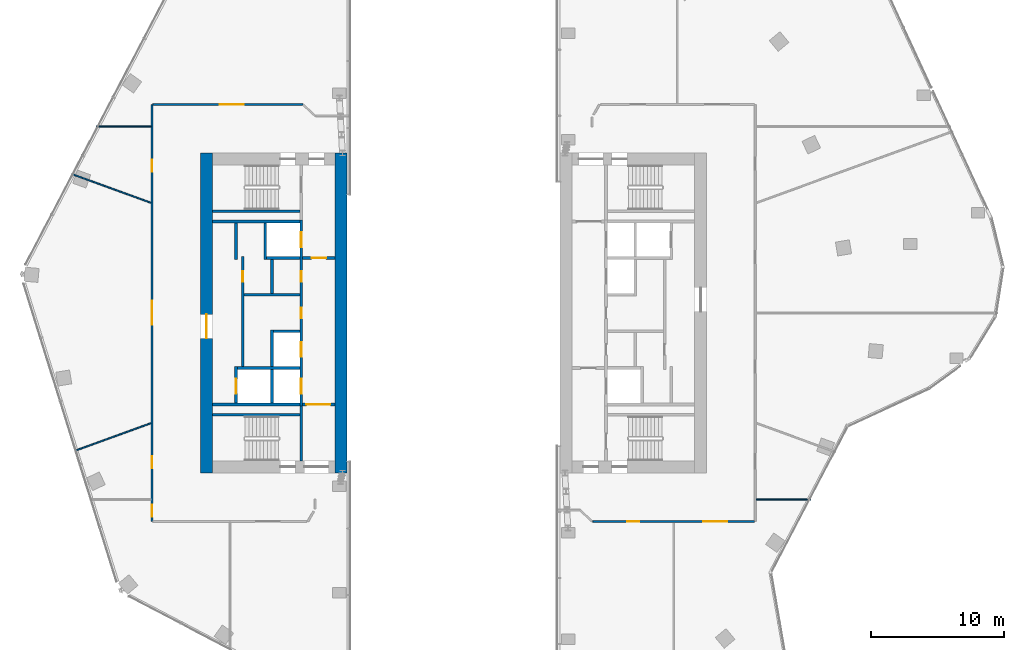
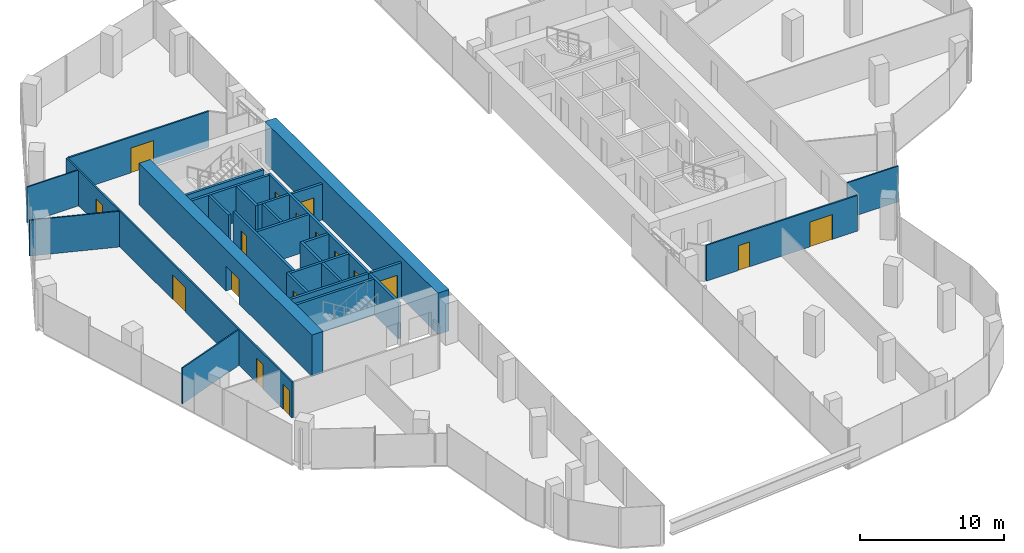
# One storey, part 20 of 24: 28 walls, 17 doors, 17 openings.
"""IFC4 building model written with IfcOpenShell, lengths in metres."""

import ifcopenshell
import ifcopenshell.guid

model = None  # the IFC model being written
_history = None  # IfcOwnerHistory: only IFC2X3 demands one
_inside = {}  # id of a spatial element -> (the spatial element, [elements in it])
_under = {}  # id of a project, library or spatial element -> (it, [spatial elements below it])
_declared = {}  # id of a project -> (the project, [libraries it declares])
_typed = {}  # id of a type object -> (the type object, [elements of that type])
_made_of = {}  # id of a material, layer set ... -> (it, [elements and type objects made of it])


def new_model(schema):
    """Start an empty IFC model of exactly this schema.

    Asked for "IFC4X3", IfcOpenShell would pick the latest addendum, in which some entities
    have other attributes; the version numbers below select the first issue.
    IFC2X3 requires an IfcOwnerHistory on every rooted entity: one is made here for all.
    """
    global model, _history
    if schema == "IFC4X3":
        model = ifcopenshell.file(schema_version=(4, 3, 0, 0))
    else:
        model = ifcopenshell.file(schema=schema)
    _inside.clear()
    _under.clear()
    _declared.clear()
    _typed.clear()
    _made_of.clear()
    _history = None
    if model.schema == "IFC2X3":
        org = make("IfcOrganization", Name="unknown")
        user = make(
            "IfcPersonAndOrganization",
            ThePerson=make("IfcPerson", FamilyName="unknown"),
            TheOrganization=org,
        )
        app = make(
            "IfcApplication",
            ApplicationDeveloper=org,
            Version="unknown",
            ApplicationFullName="unknown",
            ApplicationIdentifier="unknown",
        )
        _history = make(
            "IfcOwnerHistory",
            OwningUser=user,
            OwningApplication=app,
            ChangeAction="ADDED",
            CreationDate=0,
        )
    return model


def make(cls, **values):
    """One entity of the class cls with the attributes given. An attribute that is None is left unset."""
    return model.create_entity(
        cls, **{name: value for name, value in values.items() if value is not None}
    )


def rooted(cls, **values):
    """An entity with a GlobalId (a new one), such as an element, a storey or a relation."""
    return make(cls, GlobalId=ifcopenshell.guid.new(), OwnerHistory=_history, **values)


def si_unit(unit_type, name, prefix=None):
    """IfcSIUnit, for example si_unit("LENGTHUNIT", "METRE", prefix="MILLI")."""
    return make("IfcSIUnit", UnitType=unit_type, Prefix=prefix, Name=name)


def assignment(units):
    """IfcUnitAssignment: the units of a project."""
    return None if units is None else make("IfcUnitAssignment", Units=units)


def point(xyz):
    """IfcCartesianPoint."""
    return None if xyz is None else make("IfcCartesianPoint", Coordinates=xyz)


def direction(xyz):
    """IfcDirection."""
    return None if xyz is None else make("IfcDirection", DirectionRatios=xyz)


def frame(location, z_axis=None, x_axis=None):
    """IfcAxis2Placement3D, a coordinate frame: its origin and axes. An axis left out is left unset."""
    return make(
        "IfcAxis2Placement3D",
        Location=point(location),
        Axis=direction(z_axis),
        RefDirection=direction(x_axis),
    )


def frame_2d(location, x_axis=None):
    """IfcAxis2Placement2D, a coordinate frame in the plane: its origin and x axis."""
    return make(
        "IfcAxis2Placement2D", Location=point(location), RefDirection=direction(x_axis)
    )


def origin():
    """The frame at (0, 0, 0) with its axes left unset."""
    return frame((0.0, 0.0, 0.0))


def place(relative_to, where):
    """IfcLocalPlacement: puts the frame where relative to a parent placement (None: the world)."""
    return make(
        "IfcLocalPlacement", PlacementRelTo=relative_to, RelativePlacement=where
    )


def context(
    kind, dimensions, precision=None, world=None, true_north=None, identifier=None
):
    """IfcGeometricRepresentationContext, for example the 3D "Model" context."""
    return make(
        "IfcGeometricRepresentationContext",
        ContextIdentifier=identifier,
        ContextType=kind,
        CoordinateSpaceDimension=dimensions,
        Precision=precision,
        WorldCoordinateSystem=world,
        TrueNorth=true_north,
    )


def subcontext(parent, identifier, kind, view, scale=None):
    """IfcGeometricRepresentationSubContext, for example "Body" below "Model"."""
    return make(
        "IfcGeometricRepresentationSubContext",
        ContextIdentifier=identifier,
        ContextType=kind,
        ParentContext=parent,
        TargetScale=scale,
        TargetView=view,
    )


def project(units=None, contexts=None):
    """IfcProject with its units and contexts."""
    return rooted(
        "IfcProject",
        Name="project",
        RepresentationContexts=contexts,
        UnitsInContext=assignment(units),
    )


def spatial(cls, under=None, at=None, **own):
    """A site, building, storey or space (cls), placed at a placement, below another one or the project."""
    s = rooted(cls, ObjectPlacement=at, **own)
    if under is not None:
        _under.setdefault(under.id(), (under, []))[1].append(s)
    return s


def profile(cls, at=None, kind="AREA", **sizes):
    """A parametric profile (cls). Its sizes go by their IFC names, for example OverallWidth=200.0."""
    return make(cls, ProfileType=kind, Position=at, **sizes)


def rectangle(**sizes):
    """IfcRectangleProfileDef."""
    return profile("IfcRectangleProfileDef", **sizes)


def extrude(swept, where, along, depth):
    """IfcExtrudedAreaSolid: the profile swept, set in the frame where, extruded along a direction by depth."""
    return make(
        "IfcExtrudedAreaSolid",
        SweptArea=swept,
        Position=where,
        ExtrudedDirection=direction(along),
        Depth=depth,
    )


def shape(context_of_items, identifier, shape_type, items):
    """IfcShapeRepresentation: the items that make up one representation, for example the "Body"."""
    return make(
        "IfcShapeRepresentation",
        ContextOfItems=context_of_items,
        RepresentationIdentifier=identifier,
        RepresentationType=shape_type,
        Items=items,
    )


def material(Name=None, Category=None):
    """IfcMaterial."""
    return make("IfcMaterial", Name=Name, Category=Category)


def layer(
    of_material, thickness, ventilated=None, Name=None, Category=None, Priority=None
):
    """IfcMaterialLayer: one layer of a wall or slab, of a material (None: an air gap)."""
    return make(
        "IfcMaterialLayer",
        Material=of_material,
        LayerThickness=thickness,
        IsVentilated=ventilated,
        Name=Name,
        Category=Category,
        Priority=Priority,
    )


def layer_set(layers, Name=None):
    """IfcMaterialLayerSet."""
    return make("IfcMaterialLayerSet", MaterialLayers=layers, LayerSetName=Name)


def made_of(thing, what):
    """Note that an element or type object is made of a material, layer set ...; save() writes the relation."""
    if what is not None:
        _made_of.setdefault(what.id(), (what, []))[1].append(thing)
    return thing


def type_object(cls, material=None, **own):
    """A type object (cls), such as IfcWallType, which elements share."""
    return made_of(rooted(cls, **own), material)


def element(
    cls,
    number,
    at=None,
    inside=None,
    cuts=None,
    type_object=None,
    material=None,
    context=None,
    identifier="Body",
    shape_type=None,
    held_by="IfcProductDefinitionShape",
    body=None,
    shapes=None,
    **own,
):
    """One element of the class cls, such as IfcWall. Its Tag is "e" and its number.

    at: its placement. inside: the storey or other place that contains it. cuts: it is an
    opening in that element (IfcRelVoidsElement). A single representation is given by context,
    identifier, shape_type and body (its items); several are given by shapes. held_by: the class
    of the entity that holds the representations. save() writes the other relations.
    """
    e = rooted(cls, Tag="e%d" % number, ObjectPlacement=at, **own)
    if body is not None:
        shapes = [shape(context, identifier, shape_type, body)]
    if shapes is not None:
        e.Representation = make(held_by, Representations=shapes)
    if inside is not None:
        _inside.setdefault(inside.id(), (inside, []))[1].append(e)
    if cuts is not None:
        rooted(
            "IfcRelVoidsElement", RelatingBuildingElement=cuts, RelatedOpeningElement=e
        )
    if type_object is not None:
        _typed.setdefault(type_object.id(), (type_object, []))[1].append(e)
    return made_of(e, material)


def fill(opening, filler):
    """IfcRelFillsElement: the door or window that sits in an opening."""
    return rooted(
        "IfcRelFillsElement",
        RelatingOpeningElement=opening,
        RelatedBuildingElement=filler,
    )


def aggregate(whole, parts):
    """IfcRelAggregates: a whole, such as a stair, and the parts it consists of."""
    return rooted("IfcRelAggregates", RelatingObject=whole, RelatedObjects=parts)


def save(model, path):
    """Write the relations noted so far, then the file.

    IfcRelAggregates (storeys below a building ...), IfcRelContainedInSpatialStructure (elements
    in a storey), IfcRelDefinesByType, IfcRelAssociatesMaterial and IfcRelDeclares: one each for
    every whole, place, type object, material and project.
    """
    for whole, parts in _under.values():
        aggregate(whole, parts)
    for where, things in _inside.values():
        rooted(
            "IfcRelContainedInSpatialStructure",
            RelatedElements=things,
            RelatingStructure=where,
        )
    for kind, things in _typed.values():
        rooted("IfcRelDefinesByType", RelatedObjects=things, RelatingType=kind)
    for what, things in _made_of.values():
        rooted("IfcRelAssociatesMaterial", RelatedObjects=things, RelatingMaterial=what)
    for by, libraries in _declared.values():
        rooted("IfcRelDeclares", RelatingContext=by, RelatedDefinitions=libraries)
    model.write(path)


model = new_model("IFC4")

# Units and contexts
model_context = context("Model", 3, precision=1e-05, world=origin(), true_north=direction((0.0, 1.0)))
body_context = subcontext(model_context, "Body", "Model", "MODEL_VIEW")
ifc_project = project(units=[si_unit("LENGTHUNIT", "METRE"), si_unit("AREAUNIT", "SQUARE_METRE"), si_unit("VOLUMEUNIT", "CUBIC_METRE"), si_unit("PLANEANGLEUNIT", "RADIAN"), si_unit("MASSUNIT", "GRAM", prefix="KILO")], contexts=[model_context])

# Site, building, storey
site_placement = place(None, origin())
site = spatial("IfcSite", under=ifc_project, at=site_placement, CompositionType="ELEMENT")
building_placement = place(site_placement, origin())
building = spatial("IfcBuilding", under=site, at=building_placement, Name="Orlundy Tower", CompositionType="ELEMENT")
storey_placement = place(building_placement, frame((0.0, 0.0, 267.5)))
storey = spatial("IfcBuildingStorey", under=building, at=storey_placement, Name="L71", CompositionType="ELEMENT", Elevation=267.5)

# Wall, opening, door
ifc_material_1 = material(Name="Concrete C60/75", Category="concrete")
ifc_layer_1 = layer(ifc_material_1, 0.89990234375)
ifc_layer_set_1 = layer_set([ifc_layer_1], Name="CORE WALL 900 C60/75")
wall_type_1 = type_object("IfcWallType", Name="CORE WALL 900 C60/75", PredefinedType="SHEAR", material=ifc_layer_set_1)
wall_1_placement = place(storey_placement, frame((-18.550048828125, -12.0, 0.0), z_axis=(0.0, 0.0, 1.0), x_axis=(0.0, 1.0, 0.0)))
wall_1 = element("IfcWall", 1, at=wall_1_placement, inside=storey, type_object=wall_type_1, Name="Core wall W-W L71", PredefinedType="SHEAR", context=body_context, shape_type="SweptSolid", body=[
    extrude(rectangle(XDim=24.0, YDim=0.89990234375, at=frame_2d((12.0, 0.0))), origin(), (0.0, 0.0, 1.0), 3.5),
])
opening_1_placement = place(wall_1_placement, frame((10.10009765625, 0.0, 0.0)))
opening_1 = element("IfcOpeningElement", 2, at=opening_1_placement, cuts=wall_1, Name="Opening 53008", PredefinedType="OPENING", context=body_context, shape_type="SweptSolid", body=[
    extrude(rectangle(XDim=1.800048828125, YDim=2.10009765625, at=frame_2d((0.89990234375, 1.050048828125))), frame((0.0, 0.4599609375, 0.0), z_axis=(0.0, -1.0, 0.0), x_axis=(1.0, 0.0, 0.0)), (0.0, 0.0, 1.0), 0.919921875),
])
ifc_material_2 = material(Name="Timber door set", Category="wood")
door_type_1 = type_object("IfcDoorType", Name="Lobby Door 1800x2100", OperationType="DOUBLE_DOOR_DOUBLE_SWING", PredefinedType="DOOR", material=ifc_material_2)
door_1_placement = place(opening_1_placement, origin())
door_1 = element("IfcDoor", 3, at=door_1_placement, inside=storey, type_object=door_type_1, Name="Lift lobby door 53008", OperationType="SINGLE_SWING_LEFT", OverallHeight=2.10009765625, OverallWidth=1.800048828125, PredefinedType="DOOR", context=body_context, shape_type="SweptSolid", body=[
    extrude(rectangle(XDim=1.800048828125, YDim=2.10009765625, at=frame_2d((0.89990234375, 1.050048828125))), frame((0.0, 0.02490234375, 0.0), z_axis=(0.0, -1.0, 0.0), x_axis=(1.0, 0.0, 0.0)), (0.0, 0.0, 1.0), 0.050048828125),
])
fill(opening_1, door_1)

# Walls
wall_2_placement = place(storey_placement, frame((-8.449951171875, -12.0, 0.0), z_axis=(0.0, 0.0, 1.0), x_axis=(0.0, 1.0, 0.0)))
element("IfcWall", 4, at=wall_2_placement, inside=storey, type_object=wall_type_1, Name="Core wall W-E L71", PredefinedType="SHEAR", context=body_context, shape_type="SweptSolid", body=[
    extrude(rectangle(XDim=24.0, YDim=0.89990234375, at=frame_2d((12.0, 0.0))), origin(), (0.0, 0.0, 1.0), 3.5),
])
ifc_material_3 = material(Name="Gypsum board partition")
ifc_layer_2 = layer(ifc_material_3, 0.10009765625)
ifc_layer_set_2 = layer_set([ifc_layer_2], Name="Floor partition 100")
wall_type_2 = type_object("IfcWallType", Name="Floor partition 100", PredefinedType="PARTITIONING", material=ifc_layer_set_2)
wall_3_placement = place(storey_placement, frame((-28.681884765625, 10.43896484375, 0.0), z_axis=(0.0, 0.0, 1.0), x_axis=(0.939707861785, -0.341978266121, 0.0)))
element("IfcWall", 5, at=wall_3_placement, inside=storey, type_object=wall_type_2, Name="wall-int-L71-001", PredefinedType="PARTITIONING", context=body_context, shape_type="SweptSolid", body=[
    extrude(rectangle(XDim=6.333740234375, YDim=0.10009765625, at=frame_2d((3.1669921875, 0.0))), origin(), (0.0, 0.0, 1.0), 3.030029296875),
])
wall_4_placement = place(storey_placement, frame((22.712890625, -14.0, 0.0), z_axis=(0.0, 0.0, 1.0), x_axis=(1.0, 0.0, 0.0)))
element("IfcWall", 6, at=wall_4_placement, inside=storey, type_object=wall_type_2, Name="wall-int-L71-007", PredefinedType="PARTITIONING", context=body_context, shape_type="SweptSolid", body=[
    extrude(rectangle(XDim=4.10205078125, YDim=0.10009765625, at=frame_2d((2.051025390625, 0.0))), origin(), (0.0, 0.0, 1.0), 3.030029296875),
])
wall_5_placement = place(storey_placement, frame((-26.81494140625, 14.0, 0.0), z_axis=(0.0, 0.0, 1.0), x_axis=(1.0, 0.0, 0.0)))
element("IfcWall", 7, at=wall_5_placement, inside=storey, type_object=wall_type_2, Name="wall-int-L71-009", PredefinedType="PARTITIONING", context=body_context, shape_type="SweptSolid", body=[
    extrude(rectangle(XDim=4.10302734375, YDim=0.10009765625, at=frame_2d((2.051513671875, 0.0))), origin(), (0.0, 0.0, 1.0), 3.030029296875),
])
wall_6_placement = place(storey_placement, frame((-28.45703125, -10.35693359375, 0.0), z_axis=(0.0, 0.0, 1.0), x_axis=(0.939718545013, 0.341948908698, 0.0)))
element("IfcWall", 8, at=wall_6_placement, inside=storey, type_object=wall_type_2, Name="wall-int-L71-014", PredefinedType="PARTITIONING", context=body_context, shape_type="SweptSolid", body=[
    extrude(rectangle(XDim=6.094482421875, YDim=0.10009765625, at=frame_2d((3.04736328125, 0.0))), origin(), (0.0, 0.0, 1.0), 3.030029296875),
])

# Wall, openings, doors
ifc_material_4 = material(Name="Gypsum board partition, double layer")
ifc_layer_3 = layer(ifc_material_4, 0.125)
ifc_layer_set_3 = layer_set([ifc_layer_3], Name="Floor partition 125")
wall_type_3 = type_object("IfcWallType", Name="Floor partition 125", PredefinedType="PARTITIONING", material=ifc_layer_set_3)
wall_7_placement = place(storey_placement, frame((22.5869140625, -15.65087890625, 0.0), z_axis=(0.0, 0.0, 1.0), x_axis=(-1.0, 0.0, 0.0)))
wall_7 = element("IfcWall", 9, at=wall_7_placement, inside=storey, type_object=wall_type_3, Name="wall-int-L71-004", PredefinedType="PARTITIONING", context=body_context, shape_type="SweptSolid", body=[
    extrude(rectangle(XDim=12.1240234375, YDim=0.125, at=frame_2d((6.06201171875, 0.0))), origin(), (0.0, 0.0, 1.0), 3.030029296875),
])
opening_2_placement = place(wall_7_placement, frame((8.66162109375, 0.0, 0.0)))
opening_2 = element("IfcOpeningElement", 10, at=opening_2_placement, cuts=wall_7, Name="Opening 53103", PredefinedType="OPENING", context=body_context, shape_type="SweptSolid", body=[
    extrude(rectangle(XDim=0.89990234375, YDim=2.10009765625, at=frame_2d((0.449951171875, 1.050048828125))), frame((0.0, 0.072509765625, 0.0), z_axis=(0.0, -1.0, 0.0), x_axis=(1.0, 0.0, 0.0)), (0.0, 0.0, 1.0), 0.14501953125),
])
opening_3_placement = place(wall_7_placement, frame((2.03759765625, 0.0, 0.0)))
opening_3 = element("IfcOpeningElement", 11, at=opening_3_placement, cuts=wall_7, Name="Opening 53104", PredefinedType="OPENING", context=body_context, shape_type="SweptSolid", body=[
    extrude(rectangle(XDim=1.800048828125, YDim=2.10009765625, at=frame_2d((0.89990234375, 1.050048828125))), frame((0.0, 0.072509765625, 0.0), z_axis=(0.0, -1.0, 0.0), x_axis=(1.0, 0.0, 0.0)), (0.0, 0.0, 1.0), 0.14501953125),
])
ifc_material_5 = material(Name="Timber door leaf", Category="wood")
door_type_2 = type_object("IfcDoorType", Name="Floor door double 1800 FD30S", OperationType="NOTDEFINED", PredefinedType="DOOR", material=ifc_material_5)
door_2_placement = place(opening_3_placement, origin())
door_2 = element("IfcDoor", 12, at=door_2_placement, inside=storey, type_object=door_type_2, Name="Door 53104", OperationType="DOUBLE_DOOR_SINGLE_SWING", OverallHeight=2.10009765625, OverallWidth=1.800048828125, PredefinedType="DOOR", context=body_context, shape_type="SweptSolid", body=[
    extrude(rectangle(XDim=1.800048828125, YDim=2.10009765625, at=frame_2d((0.89990234375, 1.050048828125))), frame((0.0, 0.02490234375, 0.0), z_axis=(0.0, -1.0, 0.0), x_axis=(1.0, 0.0, 0.0)), (0.0, 0.0, 1.0), 0.050048828125),
])
fill(opening_3, door_2)
ifc_material_6 = material(Name="Timber door leaf", Category="wood")
door_type_3 = type_object("IfcDoorType", Name="Floor door single 900 FD30S", OperationType="NOTDEFINED", PredefinedType="DOOR", material=ifc_material_6)
door_3_placement = place(opening_2_placement, origin())
door_3 = element("IfcDoor", 13, at=door_3_placement, inside=storey, type_object=door_type_3, Name="Door 53103", OperationType="SINGLE_SWING_RIGHT", OverallHeight=2.10009765625, OverallWidth=0.89990234375, PredefinedType="DOOR", context=body_context, shape_type="SweptSolid", body=[
    extrude(rectangle(XDim=0.89990234375, YDim=2.10009765625, at=frame_2d((0.449951171875, 1.050048828125))), frame((0.0, 0.02490234375, 0.0), z_axis=(0.0, -1.0, 0.0), x_axis=(1.0, 0.0, 0.0)), (0.0, 0.0, 1.0), 0.050048828125),
])
fill(opening_2, door_3)

# Wall, opening, door
wall_8_placement = place(storey_placement, frame((-22.5869140625, 15.65087890625, 0.0), z_axis=(0.0, 0.0, 1.0), x_axis=(1.0, 0.0, 0.0)))
wall_8 = element("IfcWall", 14, at=wall_8_placement, inside=storey, type_object=wall_type_3, Name="wall-int-L71-012", PredefinedType="PARTITIONING", context=body_context, shape_type="SweptSolid", body=[
    extrude(rectangle(XDim=11.27490234375, YDim=0.125, at=frame_2d((5.637451171875, 0.0))), origin(), (0.0, 0.0, 1.0), 3.030029296875),
])
opening_4_placement = place(wall_8_placement, frame((5.03759765625, 0.0, 0.0)))
opening_4 = element("IfcOpeningElement", 15, at=opening_4_placement, cuts=wall_8, Name="Opening 53111", PredefinedType="OPENING", context=body_context, shape_type="SweptSolid", body=[
    extrude(rectangle(XDim=1.800048828125, YDim=2.10009765625, at=frame_2d((0.89990234375, 1.050048828125))), frame((0.0, 0.072509765625, 0.0), z_axis=(0.0, -1.0, 0.0), x_axis=(1.0, 0.0, 0.0)), (0.0, 0.0, 1.0), 0.14501953125),
])
door_4_placement = place(opening_4_placement, origin())
door_4 = element("IfcDoor", 16, at=door_4_placement, inside=storey, type_object=door_type_2, Name="Door 53111", OperationType="DOUBLE_DOOR_SINGLE_SWING", OverallHeight=2.10009765625, OverallWidth=1.800048828125, PredefinedType="DOOR", context=body_context, shape_type="SweptSolid", body=[
    extrude(rectangle(XDim=1.800048828125, YDim=2.10009765625, at=frame_2d((0.89990234375, 1.050048828125))), frame((0.0, 0.02490234375, 0.0), z_axis=(0.0, -1.0, 0.0), x_axis=(1.0, 0.0, 0.0)), (0.0, 0.0, 1.0), 0.050048828125),
])
fill(opening_4, door_4)

# Wall, openings, doors
wall_9_placement = place(storey_placement, frame((-22.64990234375, -15.65087890625, 0.0), z_axis=(0.0, 0.0, 1.0), x_axis=(0.0, 1.0, 0.0)))
wall_9 = element("IfcWall", 17, at=wall_9_placement, inside=storey, type_object=wall_type_3, Name="wall-int-L71-026", PredefinedType="PARTITIONING", context=body_context, shape_type="SweptSolid", body=[
    extrude(rectangle(XDim=31.3017578125, YDim=0.125, at=frame_2d((15.65087890625, 0.0))), origin(), (0.0, 0.0, 1.0), 3.030029296875),
])
opening_5_placement = place(wall_9_placement, frame((4.0009765625, 0.0, 0.0)))
opening_5 = element("IfcOpeningElement", 18, at=opening_5_placement, cuts=wall_9, Name="Opening 53100", PredefinedType="OPENING", context=body_context, shape_type="SweptSolid", body=[
    extrude(rectangle(XDim=0.89990234375, YDim=2.10009765625, at=frame_2d((0.449951171875, 1.050048828125))), frame((0.0, 0.072509765625, 0.0), z_axis=(0.0, -1.0, 0.0), x_axis=(1.0, 0.0, 0.0)), (0.0, 0.0, 1.0), 0.14501953125),
])
opening_6_placement = place(wall_9_placement, frame((0.35009765625, 0.0, 0.0)))
opening_6 = element("IfcOpeningElement", 19, at=opening_6_placement, cuts=wall_9, Name="Opening 53101", PredefinedType="OPENING", context=body_context, shape_type="SweptSolid", body=[
    extrude(rectangle(XDim=0.89990234375, YDim=2.10009765625, at=frame_2d((0.449951171875, 1.050048828125))), frame((0.0, 0.072509765625, 0.0), z_axis=(0.0, -1.0, 0.0), x_axis=(1.0, 0.0, 0.0)), (0.0, 0.0, 1.0), 0.14501953125),
])
opening_7_placement = place(wall_9_placement, frame((26.2451171875, 0.0, 0.0)))
opening_7 = element("IfcOpeningElement", 20, at=opening_7_placement, cuts=wall_9, Name="Opening 53112", PredefinedType="OPENING", context=body_context, shape_type="SweptSolid", body=[
    extrude(rectangle(XDim=0.89990234375, YDim=2.10009765625, at=frame_2d((0.449951171875, 1.050048828125))), frame((0.0, 0.072509765625, 0.0), z_axis=(0.0, -1.0, 0.0), x_axis=(1.0, 0.0, 0.0)), (0.0, 0.0, 1.0), 0.14501953125),
])
opening_8_placement = place(wall_9_placement, frame((14.757080078125, 0.0, 0.0)))
opening_8 = element("IfcOpeningElement", 21, at=opening_8_placement, cuts=wall_9, Name="Opening 53113", PredefinedType="OPENING", context=body_context, shape_type="SweptSolid", body=[
    extrude(rectangle(XDim=1.800048828125, YDim=2.10009765625, at=frame_2d((0.89990234375, 1.050048828125))), frame((0.0, 0.072509765625, 0.0), z_axis=(0.0, -1.0, 0.0), x_axis=(1.0, 0.0, 0.0)), (0.0, 0.0, 1.0), 0.14501953125),
])
door_5_placement = place(opening_8_placement, origin())
door_5 = element("IfcDoor", 22, at=door_5_placement, inside=storey, type_object=door_type_2, Name="Door 53113", OperationType="DOUBLE_DOOR_SINGLE_SWING", OverallHeight=2.10009765625, OverallWidth=1.800048828125, PredefinedType="DOOR", context=body_context, shape_type="SweptSolid", body=[
    extrude(rectangle(XDim=1.800048828125, YDim=2.10009765625, at=frame_2d((0.89990234375, 1.050048828125))), frame((0.0, 0.02490234375, 0.0), z_axis=(0.0, -1.0, 0.0), x_axis=(1.0, 0.0, 0.0)), (0.0, 0.0, 1.0), 0.050048828125),
])
fill(opening_8, door_5)
door_6_placement = place(opening_5_placement, origin())
door_6 = element("IfcDoor", 23, at=door_6_placement, inside=storey, type_object=door_type_3, Name="Door 53100", OperationType="SINGLE_SWING_LEFT", OverallHeight=2.10009765625, OverallWidth=0.89990234375, PredefinedType="DOOR", context=body_context, shape_type="SweptSolid", body=[
    extrude(rectangle(XDim=0.89990234375, YDim=2.10009765625, at=frame_2d((0.449951171875, 1.050048828125))), frame((0.0, 0.02490234375, 0.0), z_axis=(0.0, -1.0, 0.0), x_axis=(1.0, 0.0, 0.0)), (0.0, 0.0, 1.0), 0.050048828125),
])
fill(opening_5, door_6)
door_7_placement = place(opening_6_placement, origin())
door_7 = element("IfcDoor", 24, at=door_7_placement, inside=storey, type_object=door_type_3, Name="Door 53101", OperationType="SINGLE_SWING_LEFT", OverallHeight=2.10009765625, OverallWidth=0.89990234375, PredefinedType="DOOR", context=body_context, shape_type="SweptSolid", body=[
    extrude(rectangle(XDim=0.89990234375, YDim=2.10009765625, at=frame_2d((0.449951171875, 1.050048828125))), frame((0.0, 0.02490234375, 0.0), z_axis=(0.0, -1.0, 0.0), x_axis=(1.0, 0.0, 0.0)), (0.0, 0.0, 1.0), 0.050048828125),
])
fill(opening_6, door_7)
door_8_placement = place(opening_7_placement, origin())
door_8 = element("IfcDoor", 25, at=door_8_placement, inside=storey, type_object=door_type_3, Name="Door 53112", OperationType="SINGLE_SWING_RIGHT", OverallHeight=2.10009765625, OverallWidth=0.89990234375, PredefinedType="DOOR", context=body_context, shape_type="SweptSolid", body=[
    extrude(rectangle(XDim=0.89990234375, YDim=2.10009765625, at=frame_2d((0.449951171875, 1.050048828125))), frame((0.0, 0.02490234375, 0.0), z_axis=(0.0, -1.0, 0.0), x_axis=(1.0, 0.0, 0.0)), (0.0, 0.0, 1.0), 0.050048828125),
])
fill(opening_7, door_8)

# Walls
ifc_material_7 = material(Name="Concrete C40/50", Category="concrete")
ifc_layer_4 = layer(ifc_material_7, 0.199951171875)
ifc_layer_set_4 = layer_set([ifc_layer_4], Name="Load-bearing Shaft Wall 200")
wall_type_4 = type_object("IfcWallType", Name="Load-bearing Shaft Wall 200", PredefinedType="SOLIDWALL", material=ifc_layer_set_4)
wall_10_placement = place(storey_placement, frame((-11.5400390625, 7.64990234375, 0.0), z_axis=(0.0, 0.0, 1.0), x_axis=(-1.0, 0.0, 0.0)))
element("IfcWall", 26, at=wall_10_placement, inside=storey, type_object=wall_type_4, Name="Shaft wall W53-stair-side-n", PredefinedType="SOLIDWALL", context=body_context, shape_type="SweptSolid", body=[
    extrude(rectangle(XDim=6.56005859375, YDim=0.199951171875, at=frame_2d((3.280029296875, 0.0))), origin(), (0.0, 0.0, 1.0), 3.050048828125),
])
wall_11_placement = place(storey_placement, frame((-11.43994140625, -11.10009765625, 0.0), z_axis=(0.0, 0.0, 1.0), x_axis=(0.0, 1.0, 0.0)))
element("IfcWall", 27, at=wall_11_placement, inside=storey, type_object=wall_type_4, Name="Shaft wall W53-stair-end-s", PredefinedType="SOLIDWALL", context=body_context, shape_type="SweptSolid", body=[
    extrude(rectangle(XDim=4.125, YDim=0.199951171875, at=frame_2d((2.0625, 0.0))), origin(), (0.0, 0.0, 1.0), 3.050048828125),
])
wall_12_placement = place(storey_placement, frame((-11.5400390625, -7.64990234375, 0.0), z_axis=(0.0, 0.0, 1.0), x_axis=(-1.0, 0.0, 0.0)))
element("IfcWall", 28, at=wall_12_placement, inside=storey, type_object=wall_type_4, Name="Shaft wall W53-stair-side-s", PredefinedType="SOLIDWALL", context=body_context, shape_type="SweptSolid", body=[
    extrude(rectangle(XDim=6.56005859375, YDim=0.199951171875, at=frame_2d((3.280029296875, 0.0))), origin(), (0.0, 0.0, 1.0), 3.050048828125),
])

# Wall, opening, door
ifc_material_8 = material(Name="Gypsum board partition on steel studs", Category="steel")
ifc_layer_5 = layer(ifc_material_8, 0.199951171875)
ifc_layer_set_5 = layer_set([ifc_layer_5], Name="Partition 200")
wall_type_5 = type_object("IfcWallType", Name="Partition 200", PredefinedType="PARTITIONING", material=ifc_layer_set_5)
wall_13_placement = place(storey_placement, frame((-8.89990234375, 4.125, 0.0), z_axis=(0.0, 0.0, 1.0), x_axis=(-1.0, 0.0, 0.0)))
wall_13 = element("IfcWall", 29, at=wall_13_placement, inside=storey, type_object=wall_type_5, Name="Partition wall W53-lobby-n", PredefinedType="PARTITIONING", context=body_context, shape_type="SweptSolid", body=[
    extrude(rectangle(XDim=2.440185546875, YDim=0.199951171875, at=frame_2d((1.22021484375, 0.0))), origin(), (0.0, 0.0, 1.0), 3.050048828125),
])
opening_9_placement = place(wall_13_placement, frame((0.669921875, 0.0, 0.0)))
opening_9 = element("IfcOpeningElement", 30, at=opening_9_placement, cuts=wall_13, Name="Opening 53010", PredefinedType="OPENING", context=body_context, shape_type="SweptSolid", body=[
    extrude(rectangle(XDim=1.10009765625, YDim=2.10009765625, at=frame_2d((0.550048828125, 1.050048828125))), frame((0.0, 0.110107421875, 0.0), z_axis=(0.0, -1.0, 0.0), x_axis=(1.0, 0.0, 0.0)), (0.0, 0.0, 1.0), 0.22021484375),
])
ifc_material_9 = material(Name="Steel door set", Category="steel")
door_type_4 = type_object("IfcDoorType", Name="Fire-fighting Lobby Door 1100x2100", OperationType="SINGLE_SWING_LEFT", PredefinedType="DOOR", material=ifc_material_9)
door_9_placement = place(opening_9_placement, origin())
door_9 = element("IfcDoor", 31, at=door_9_placement, inside=storey, type_object=door_type_4, Name="Lift lobby to fire-fighting lobby door 53010", OperationType="SINGLE_SWING_RIGHT", OverallHeight=2.10009765625, OverallWidth=1.10009765625, PredefinedType="DOOR", context=body_context, shape_type="SweptSolid", body=[
    extrude(rectangle(XDim=1.10009765625, YDim=2.10009765625, at=frame_2d((0.550048828125, 1.050048828125))), frame((0.0, 0.02490234375, 0.0), z_axis=(0.0, -1.0, 0.0), x_axis=(1.0, 0.0, 0.0)), (0.0, 0.0, 1.0), 0.050048828125),
])
fill(opening_9, door_9)

wall_14_placement = place(storey_placement, frame((-8.89990234375, -6.875, 0.0), z_axis=(0.0, 0.0, 1.0), x_axis=(-1.0, 0.0, 0.0)))
wall_14 = element("IfcWall", 32, at=wall_14_placement, inside=storey, type_object=wall_type_5, Name="Partition wall W53-end-s", PredefinedType="PARTITIONING", context=body_context, shape_type="SweptSolid", body=[
    extrude(rectangle(XDim=2.440185546875, YDim=0.199951171875, at=frame_2d((1.22021484375, 0.0))), origin(), (0.0, 0.0, 1.0), 3.050048828125),
])
opening_10_placement = place(wall_14_placement, frame((0.35009765625, 0.0, 0.0)))
opening_10 = element("IfcOpeningElement", 33, at=opening_10_placement, cuts=wall_14, Name="Opening 53011", PredefinedType="OPENING", context=body_context, shape_type="SweptSolid", body=[
    extrude(rectangle(XDim=1.800048828125, YDim=2.10009765625, at=frame_2d((0.89990234375, 1.050048828125))), frame((0.0, 0.110107421875, 0.0), z_axis=(0.0, -1.0, 0.0), x_axis=(1.0, 0.0, 0.0)), (0.0, 0.0, 1.0), 0.22021484375),
])
door_10_placement = place(opening_10_placement, origin())
door_10 = element("IfcDoor", 34, at=door_10_placement, inside=storey, type_object=door_type_1, Name="Lift lobby to passage door 53011", OperationType="DOUBLE_DOOR_DOUBLE_SWING", OverallHeight=2.10009765625, OverallWidth=1.800048828125, PredefinedType="DOOR", context=body_context, shape_type="SweptSolid", body=[
    extrude(rectangle(XDim=1.800048828125, YDim=2.10009765625, at=frame_2d((0.89990234375, 1.050048828125))), frame((0.0, 0.02490234375, 0.0), z_axis=(0.0, -1.0, 0.0), x_axis=(1.0, 0.0, 0.0)), (0.0, 0.0, 1.0), 0.050048828125),
])
fill(opening_10, door_10)

# Walls
ifc_material_10 = material(Name="Fire-rated blockwork shaft wall", Category="masonry")
ifc_layer_6 = layer(ifc_material_10, 0.199951171875)
ifc_layer_set_6 = layer_set([ifc_layer_6], Name="Shaft Wall 200")
wall_type_6 = type_object("IfcWallType", Name="Shaft Wall 200", PredefinedType="SOLIDWALL", material=ifc_layer_set_6)
for number, where, z_axis, x_axis, name in (
    (35, (-11.5400390625, 6.875, 0.0), (0.0, 0.0, 1.0), (-1.0, 0.0, 0.0), "Shaft wall W53-zone-n"),
    (36, (-11.5400390625, -6.875, 0.0), (0.0, 0.0, 1.0), (-1.0, 0.0, 0.0), "Shaft wall W53-zone-s"),
):
    element("IfcWall", number, at=place(storey_placement, frame(where, z_axis=z_axis, x_axis=x_axis)), inside=storey, type_object=wall_type_6, Name=name, PredefinedType="SOLIDWALL", context=body_context, shape_type="SweptSolid", body=[
        extrude(rectangle(XDim=6.56005859375, YDim=0.199951171875, at=frame_2d((3.280029296875, 0.0))), origin(), (0.0, 0.0, 1.0), 3.050048828125),
    ])
wall_15_placement = place(storey_placement, frame((-11.5400390625, -4.125, 0.0), z_axis=(0.0, 0.0, 1.0), x_axis=(-1.0, 0.0, 0.0)))
element("IfcWall", 37, at=wall_15_placement, inside=storey, type_object=wall_type_6, Name="Shaft wall W53-cross-4.125", PredefinedType="SOLIDWALL", context=body_context, shape_type="SweptSolid", body=[
    extrude(rectangle(XDim=4.699951171875, YDim=0.199951171875, at=frame_2d((2.35009765625, 0.0))), origin(), (0.0, 0.0, 1.0), 3.050048828125),
])
wall_16_placement = place(storey_placement, frame((-11.5400390625, -1.375, 0.0), z_axis=(0.0, 0.0, 1.0), x_axis=(-1.0, 0.0, 0.0)))
element("IfcWall", 38, at=wall_16_placement, inside=storey, type_object=wall_type_6, Name="Shaft wall W53-cross-1.375", PredefinedType="SOLIDWALL", context=body_context, shape_type="SweptSolid", body=[
    extrude(rectangle(XDim=2.0, YDim=0.199951171875, at=frame_2d((1.0, 0.0))), origin(), (0.0, 0.0, 1.0), 3.050048828125),
])
wall_17_placement = place(storey_placement, frame((-11.5400390625, 1.375, 0.0), z_axis=(0.0, 0.0, 1.0), x_axis=(-1.0, 0.0, 0.0)))
element("IfcWall", 39, at=wall_17_placement, inside=storey, type_object=wall_type_6, Name="Shaft wall W53-cross+1.375", PredefinedType="SOLIDWALL", context=body_context, shape_type="SweptSolid", body=[
    extrude(rectangle(XDim=4.199951171875, YDim=0.199951171875, at=frame_2d((2.10009765625, 0.0))), origin(), (0.0, 0.0, 1.0), 3.050048828125),
])
wall_18_placement = place(storey_placement, frame((-11.5400390625, 4.125, 0.0), z_axis=(0.0, 0.0, 1.0), x_axis=(-1.0, 0.0, 0.0)))
element("IfcWall", 40, at=wall_18_placement, inside=storey, type_object=wall_type_6, Name="Shaft wall W53-cross+4.125", PredefinedType="SOLIDWALL", context=body_context, shape_type="SweptSolid", body=[
    extrude(rectangle(XDim=2.5, YDim=0.199951171875, at=frame_2d((1.25, 0.0))), origin(), (0.0, 0.0, 1.0), 3.050048828125),
])

# Wall, openings, doors
wall_19_placement = place(storey_placement, frame((-11.43994140625, -6.97509765625, 0.0), z_axis=(0.0, 0.0, 1.0), x_axis=(0.0, 1.0, 0.0)))
wall_19 = element("IfcWall", 41, at=wall_19_placement, inside=storey, type_object=wall_type_6, Name="Shaft wall W53-front-h", PredefinedType="SOLIDWALL", context=body_context, shape_type="SweptSolid", body=[
    extrude(rectangle(XDim=13.9501953125, YDim=0.199951171875, at=frame_2d((6.97509765625, 0.0))), origin(), (0.0, 0.0, 1.0), 3.050048828125),
])
opening_11_placement = place(wall_19_placement, frame((0.925048828125, 0.0, 0.0)))
opening_11 = element("IfcOpeningElement", 42, at=opening_11_placement, cuts=wall_19, Name="Opening 53001", PredefinedType="OPENING", context=body_context, shape_type="SweptSolid", body=[
    extrude(rectangle(XDim=1.10009765625, YDim=2.10009765625, at=frame_2d((0.550048828125, 1.050048828125))), frame((0.0, 0.110107421875, 0.0), z_axis=(0.0, -1.0, 0.0), x_axis=(1.0, 0.0, 0.0)), (0.0, 0.0, 1.0), 0.22021484375),
])
opening_12_placement = place(wall_19_placement, frame((3.675048828125, 0.0, 0.0)))
opening_12 = element("IfcOpeningElement", 43, at=opening_12_placement, cuts=wall_19, Name="Opening 53003", PredefinedType="OPENING", context=body_context, shape_type="SweptSolid", body=[
    extrude(rectangle(XDim=1.10009765625, YDim=2.10009765625, at=frame_2d((0.550048828125, 1.050048828125))), frame((0.0, 0.110107421875, 0.0), z_axis=(0.0, -1.0, 0.0), x_axis=(1.0, 0.0, 0.0)), (0.0, 0.0, 1.0), 0.22021484375),
])
opening_13_placement = place(wall_19_placement, frame((11.925048828125, 0.0, 0.0)))
opening_13 = element("IfcOpeningElement", 44, at=opening_13_placement, cuts=wall_19, Name="Opening 53004", PredefinedType="OPENING", context=body_context, shape_type="SweptSolid", body=[
    extrude(rectangle(XDim=1.10009765625, YDim=2.10009765625, at=frame_2d((0.550048828125, 1.050048828125))), frame((0.0, 0.110107421875, 0.0), z_axis=(0.0, -1.0, 0.0), x_axis=(1.0, 0.0, 0.0)), (0.0, 0.0, 1.0), 0.22021484375),
])
opening_14_placement = place(wall_19_placement, frame((6.574951171875, 0.0, 0.0)))
opening_14 = element("IfcOpeningElement", 45, at=opening_14_placement, cuts=wall_19, Name="Opening 53005", PredefinedType="OPENING", context=body_context, shape_type="SweptSolid", body=[
    extrude(rectangle(XDim=0.800048828125, YDim=2.10009765625, at=frame_2d((0.39990234375, 1.050048828125))), frame((0.0, 0.110107421875, 0.0), z_axis=(0.0, -1.0, 0.0), x_axis=(1.0, 0.0, 0.0)), (0.0, 0.0, 1.0), 0.22021484375),
])
opening_15_placement = place(wall_19_placement, frame((9.324951171875, 0.0, 0.0)))
opening_15 = element("IfcOpeningElement", 46, at=opening_15_placement, cuts=wall_19, Name="Opening 53006", PredefinedType="OPENING", context=body_context, shape_type="SweptSolid", body=[
    extrude(rectangle(XDim=0.800048828125, YDim=2.10009765625, at=frame_2d((0.39990234375, 1.050048828125))), frame((0.0, 0.110107421875, 0.0), z_axis=(0.0, -1.0, 0.0), x_axis=(1.0, 0.0, 0.0)), (0.0, 0.0, 1.0), 0.22021484375),
])
ifc_material_11 = material(Name="Steel door set", Category="steel")
door_type_5 = type_object("IfcDoorType", Name="Landing Door 1100x2100", OperationType="DOUBLE_DOOR_SLIDING", PredefinedType="DOOR", material=ifc_material_11)
door_11_placement = place(opening_11_placement, origin())
door_11 = element("IfcDoor", 47, at=door_11_placement, inside=storey, type_object=door_type_5, Name="Lift landing door LP-22 53001", OperationType="DOUBLE_DOOR_SLIDING", OverallHeight=2.10009765625, OverallWidth=1.10009765625, PredefinedType="DOOR", context=body_context, shape_type="SweptSolid", body=[
    extrude(rectangle(XDim=1.10009765625, YDim=2.10009765625, at=frame_2d((0.550048828125, 1.050048828125))), frame((0.0, 0.02490234375, 0.0), z_axis=(0.0, -1.0, 0.0), x_axis=(1.0, 0.0, 0.0)), (0.0, 0.0, 1.0), 0.050048828125),
])
fill(opening_11, door_11)
door_12_placement = place(opening_12_placement, origin())
door_12 = element("IfcDoor", 48, at=door_12_placement, inside=storey, type_object=door_type_5, Name="Lift landing door LP-21 53003", OperationType="DOUBLE_DOOR_SLIDING", OverallHeight=2.10009765625, OverallWidth=1.10009765625, PredefinedType="DOOR", context=body_context, shape_type="SweptSolid", body=[
    extrude(rectangle(XDim=1.10009765625, YDim=2.10009765625, at=frame_2d((0.550048828125, 1.050048828125))), frame((0.0, 0.02490234375, 0.0), z_axis=(0.0, -1.0, 0.0), x_axis=(1.0, 0.0, 0.0)), (0.0, 0.0, 1.0), 0.050048828125),
])
fill(opening_12, door_12)
door_13_placement = place(opening_13_placement, origin())
door_13 = element("IfcDoor", 49, at=door_13_placement, inside=storey, type_object=door_type_5, Name="Lift landing door FL1 53004", OperationType="DOUBLE_DOOR_SLIDING", OverallHeight=2.10009765625, OverallWidth=1.10009765625, PredefinedType="DOOR", context=body_context, shape_type="SweptSolid", body=[
    extrude(rectangle(XDim=1.10009765625, YDim=2.10009765625, at=frame_2d((0.550048828125, 1.050048828125))), frame((0.0, 0.02490234375, 0.0), z_axis=(0.0, -1.0, 0.0), x_axis=(1.0, 0.0, 0.0)), (0.0, 0.0, 1.0), 0.050048828125),
])
fill(opening_13, door_13)
ifc_material_12 = material(Name="Timber door set", Category="wood")
door_type_6 = type_object("IfcDoorType", Name="Riser Door 800x2100", OperationType="SINGLE_SWING_LEFT", PredefinedType="DOOR", material=ifc_material_12)
door_14_placement = place(opening_14_placement, origin())
door_14 = element("IfcDoor", 50, at=door_14_placement, inside=storey, type_object=door_type_6, Name="Refuse Room door 53005", OperationType="SINGLE_SWING_RIGHT", OverallHeight=2.10009765625, OverallWidth=0.800048828125, PredefinedType="DOOR", context=body_context, shape_type="SweptSolid", body=[
    extrude(rectangle(XDim=0.800048828125, YDim=2.10009765625, at=frame_2d((0.39990234375, 1.050048828125))), frame((0.0, 0.02490234375, 0.0), z_axis=(0.0, -1.0, 0.0), x_axis=(1.0, 0.0, 0.0)), (0.0, 0.0, 1.0), 0.050048828125),
])
fill(opening_14, door_14)
door_15_placement = place(opening_15_placement, origin())
door_15 = element("IfcDoor", 51, at=door_15_placement, inside=storey, type_object=door_type_6, Name="Cleaner's Store door 53006", OperationType="SINGLE_SWING_LEFT", OverallHeight=2.10009765625, OverallWidth=0.800048828125, PredefinedType="DOOR", context=body_context, shape_type="SweptSolid", body=[
    extrude(rectangle(XDim=0.800048828125, YDim=2.10009765625, at=frame_2d((0.39990234375, 1.050048828125))), frame((0.0, 0.02490234375, 0.0), z_axis=(0.0, -1.0, 0.0), x_axis=(1.0, 0.0, 0.0)), (0.0, 0.0, 1.0), 0.050048828125),
])
fill(opening_15, door_15)

# Walls
wall_20_placement = place(storey_placement, frame((-13.639892578125, -6.77490234375, 0.0), z_axis=(0.0, 0.0, 1.0), x_axis=(0.0, 1.0, 0.0)))
element("IfcWall", 52, at=wall_20_placement, inside=storey, type_object=wall_type_6, Name="Shaft wall W53-mid-a", PredefinedType="SOLIDWALL", context=body_context, shape_type="SweptSolid", body=[
    extrude(rectangle(XDim=2.5498046875, YDim=0.199951171875, at=frame_2d((1.27490234375, 0.0))), origin(), (0.0, 0.0, 1.0), 3.050048828125),
])
wall_21_placement = place(storey_placement, frame((-13.639892578125, -4.02490234375, 0.0), z_axis=(0.0, 0.0, 1.0), x_axis=(0.0, 1.0, 0.0)))
element("IfcWall", 53, at=wall_21_placement, inside=storey, type_object=wall_type_6, Name="Shaft wall W53-mid-a.1", PredefinedType="SOLIDWALL", context=body_context, shape_type="SweptSolid", body=[
    extrude(rectangle(XDim=2.75, YDim=0.199951171875, at=frame_2d((1.375, 0.0))), origin(), (0.0, 0.0, 1.0), 3.050048828125),
])
wall_22_placement = place(storey_placement, frame((-13.639892578125, 1.47509765625, 0.0), z_axis=(0.0, 0.0, 1.0), x_axis=(0.0, 1.0, 0.0)))
element("IfcWall", 54, at=wall_22_placement, inside=storey, type_object=wall_type_6, Name="Shaft wall W53-mid-a1", PredefinedType="SOLIDWALL", context=body_context, shape_type="SweptSolid", body=[
    extrude(rectangle(XDim=2.5498046875, YDim=0.199951171875, at=frame_2d((1.27490234375, 0.0))), origin(), (0.0, 0.0, 1.0), 3.050048828125),
])
wall_23_placement = place(storey_placement, frame((-14.139892578125, 4.02490234375, 0.0), z_axis=(0.0, 0.0, 1.0), x_axis=(0.0, 1.0, 0.0)))
element("IfcWall", 55, at=wall_23_placement, inside=storey, type_object=wall_type_6, Name="Shaft wall W53-mid-b", PredefinedType="SOLIDWALL", context=body_context, shape_type="SweptSolid", body=[
    extrude(rectangle(XDim=2.75, YDim=0.199951171875, at=frame_2d((1.375, 0.0))), origin(), (0.0, 0.0, 1.0), 3.050048828125),
])

# Wall, opening, door
wall_24_placement = place(storey_placement, frame((-16.340087890625, -6.77490234375, 0.0), z_axis=(0.0, 0.0, 1.0), x_axis=(0.0, 1.0, 0.0)))
wall_24 = element("IfcWall", 56, at=wall_24_placement, inside=storey, type_object=wall_type_6, Name="Shaft wall W53-front-o-a", PredefinedType="SOLIDWALL", context=body_context, shape_type="SweptSolid", body=[
    extrude(rectangle(XDim=2.75, YDim=0.199951171875, at=frame_2d((1.375, 0.0))), origin(), (0.0, 0.0, 1.0), 3.050048828125),
])
opening_16_placement = place(wall_24_placement, frame((0.72509765625, 0.0, 0.0)))
opening_16 = element("IfcOpeningElement", 57, at=opening_16_placement, cuts=wall_24, Name="Opening 53002", PredefinedType="OPENING", context=body_context, shape_type="SweptSolid", body=[
    extrude(rectangle(XDim=1.10009765625, YDim=2.10009765625, at=frame_2d((0.550048828125, 1.050048828125))), frame((0.0, 0.110107421875, 0.0), z_axis=(0.0, -1.0, 0.0), x_axis=(1.0, 0.0, 0.0)), (0.0, 0.0, 1.0), 0.22021484375),
])
door_16_placement = place(opening_16_placement, origin())
door_16 = element("IfcDoor", 58, at=door_16_placement, inside=storey, type_object=door_type_5, Name="Lift landing door LV-01 53002", OperationType="DOUBLE_DOOR_SLIDING", OverallHeight=2.10009765625, OverallWidth=1.10009765625, PredefinedType="DOOR", context=body_context, shape_type="SweptSolid", body=[
    extrude(rectangle(XDim=1.10009765625, YDim=2.10009765625, at=frame_2d((0.550048828125, 1.050048828125))), frame((0.0, 0.02490234375, 0.0), z_axis=(0.0, -1.0, 0.0), x_axis=(1.0, 0.0, 0.0)), (0.0, 0.0, 1.0), 0.050048828125),
])
fill(opening_16, door_16)

wall_25_placement = place(storey_placement, frame((-15.840087890625, -4.02490234375, 0.0), z_axis=(0.0, 0.0, 1.0), x_axis=(0.0, 1.0, 0.0)))
wall_25 = element("IfcWall", 59, at=wall_25_placement, inside=storey, type_object=wall_type_6, Name="Shaft wall W53-front-o-b", PredefinedType="SOLIDWALL", context=body_context, shape_type="SweptSolid", body=[
    extrude(rectangle(XDim=8.25, YDim=0.199951171875, at=frame_2d((4.125, 0.0))), origin(), (0.0, 0.0, 1.0), 3.050048828125),
])
opening_17_placement = place(wall_25_placement, frame((6.375, 0.0, 0.0)))
opening_17 = element("IfcOpeningElement", 60, at=opening_17_placement, cuts=wall_25, Name="Opening 53007", PredefinedType="OPENING", context=body_context, shape_type="SweptSolid", body=[
    extrude(rectangle(XDim=0.800048828125, YDim=2.10009765625, at=frame_2d((0.39990234375, 1.050048828125))), frame((0.0, 0.110107421875, 0.0), z_axis=(0.0, -1.0, 0.0), x_axis=(1.0, 0.0, 0.0)), (0.0, 0.0, 1.0), 0.22021484375),
])
door_17_placement = place(opening_17_placement, origin())
door_17 = element("IfcDoor", 61, at=door_17_placement, inside=storey, type_object=door_type_6, Name="Janitor Store door 53007", OperationType="SINGLE_SWING_LEFT", OverallHeight=2.10009765625, OverallWidth=0.800048828125, PredefinedType="DOOR", context=body_context, shape_type="SweptSolid", body=[
    extrude(rectangle(XDim=0.800048828125, YDim=2.10009765625, at=frame_2d((0.39990234375, 1.050048828125))), frame((0.0, 0.02490234375, 0.0), z_axis=(0.0, -1.0, 0.0), x_axis=(1.0, 0.0, 0.0)), (0.0, 0.0, 1.0), 0.050048828125),
])
fill(opening_17, door_17)

# Wall
wall_26_placement = place(storey_placement, frame((-16.340087890625, 4.02490234375, 0.0), z_axis=(0.0, 0.0, 1.0), x_axis=(0.0, 1.0, 0.0)))
element("IfcWall", 62, at=wall_26_placement, inside=storey, type_object=wall_type_6, Name="Shaft wall W53-front-o-c", PredefinedType="SOLIDWALL", context=body_context, shape_type="SweptSolid", body=[
    extrude(rectangle(XDim=2.75, YDim=0.199951171875, at=frame_2d((1.375, 0.0))), origin(), (0.0, 0.0, 1.0), 3.050048828125),
])

save(model, "model.ifc")
